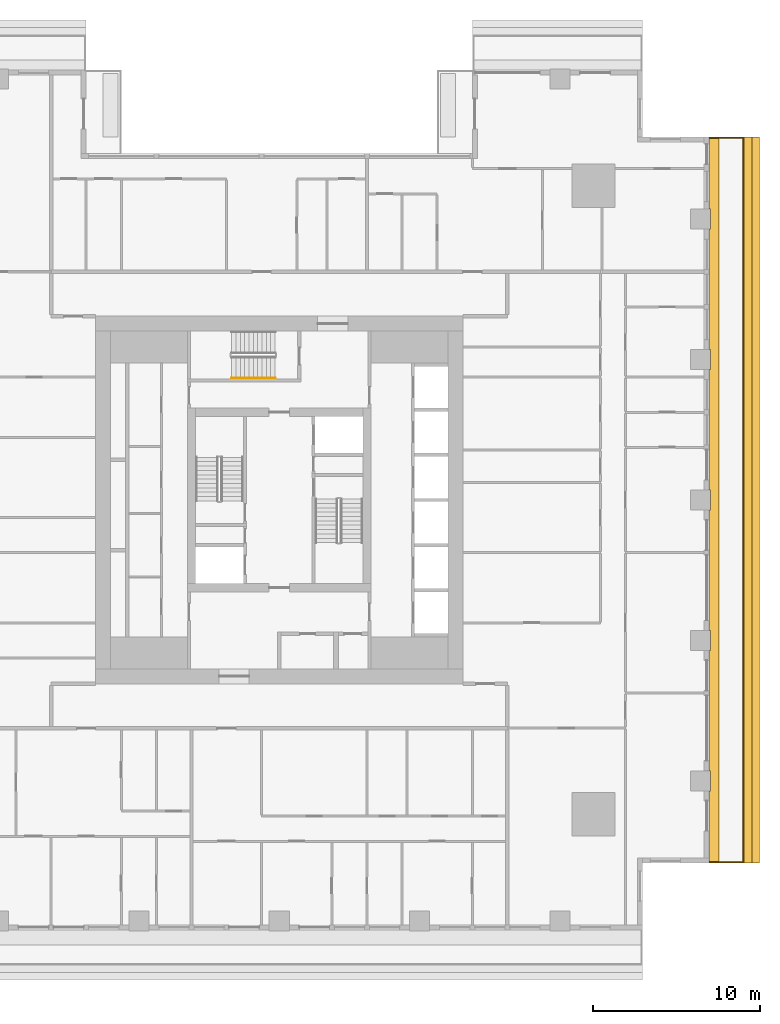
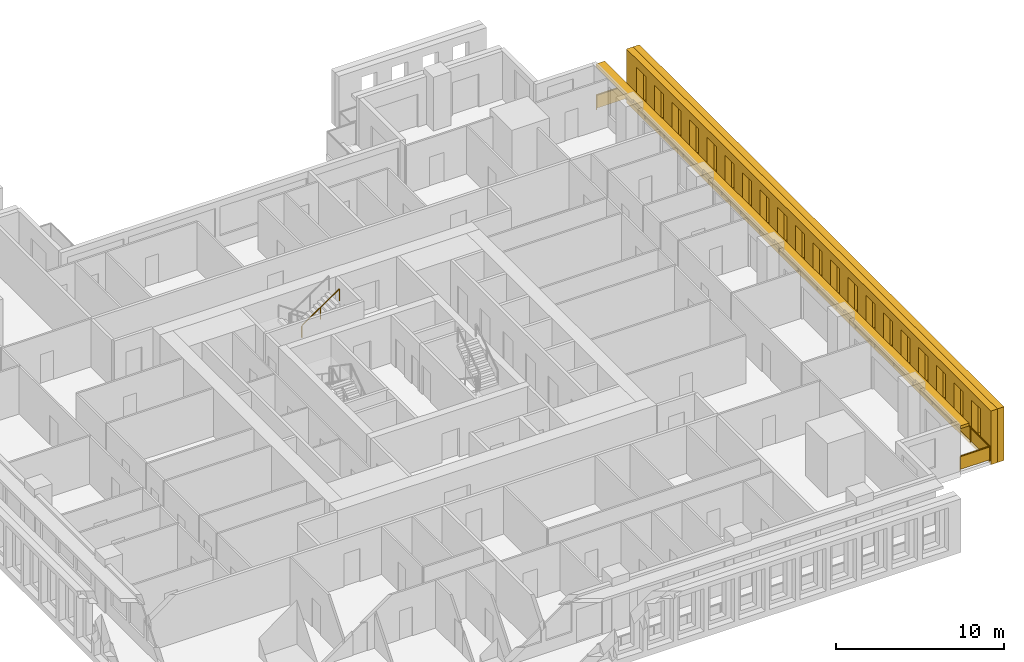
# One storey, part 13 of 15: 3 shading devices, 2 railings.
"""IFC4 building model written with IfcOpenShell, lengths in metres."""

from ifc_helpers import new_model, si_unit, direction, frame, origin, origin_2d, place, context, subcontext, project, spatial, polyline, rectangle, outline, extrude, material, layer, layer_set, type_object, element, save


model = new_model("IFC4")

# Units and contexts
model_context = context("Model", 3, precision=1e-05, world=origin(), true_north=direction((0.0, 1.0)))
body_context = subcontext(model_context, "Body", "Model", "MODEL_VIEW")
ifc_project = project(units=[si_unit("LENGTHUNIT", "METRE"), si_unit("AREAUNIT", "SQUARE_METRE"), si_unit("VOLUMEUNIT", "CUBIC_METRE"), si_unit("PLANEANGLEUNIT", "RADIAN"), si_unit("MASSUNIT", "GRAM", prefix="KILO")], contexts=[model_context])

# Site, building, storey
site_placement = place(None, origin())
site = spatial("IfcSite", under=ifc_project, at=site_placement, CompositionType="ELEMENT")
building_placement = place(site_placement, origin())
building = spatial("IfcBuilding", under=site, at=building_placement, Name="Khepri Terraces", CompositionType="ELEMENT")
storey_placement = place(building_placement, frame((0.0, 0.0, 165.0)))
storey = spatial("IfcBuildingStorey", under=building, at=storey_placement, Name="L39", CompositionType="ELEMENT", Elevation=165.0)

# Railings
ifc_material_1 = material(Name="Stainless steel grade 316", Category="steel")
railing_type_1 = type_object("IfcRailingType", Name="GRD-BAL-1100", PredefinedType="GUARDRAIL", material=ifc_material_1)
railing_1_placement = place(storey_placement, frame((25.719970703125, -21.669921875, 0.0)))
element("IfcRailing", 1, at=railing_1_placement, inside=storey, type_object=railing_type_1, Name="Balcony guard L39 E", PredefinedType="GUARDRAIL", context=body_context, shape_type="SweptSolid", body=[
    extrude(rectangle(XDim=0.050048828125, YDim=0.06005859375, at=origin_2d()), frame((0.0, 0.0, 1.070068359375), z_axis=(1.0, 0.0, 0.0), x_axis=(0.0, 1.0, 0.0)), (0.0, 0.0, 1.0), 2.050048828125),
    extrude(rectangle(XDim=2.0, YDim=0.011962890625, at=origin_2d()), frame((1.02490234375, 0.0, 0.10009765625), z_axis=(0.0, 0.0, 1.0), x_axis=(1.0, 0.0, 0.0)), (0.0, 0.0, 1.0), 0.93994140625),
    extrude(rectangle(XDim=0.050048828125, YDim=0.06005859375, at=origin_2d()), frame((2.050048828125, 0.0, 1.070068359375), z_axis=(0.0, 1.0, 0.0), x_axis=(-1.0, 0.0, 0.0)), (0.0, 0.0, 1.0), 43.33984375),
    extrude(rectangle(XDim=2.23095703125, YDim=0.011962890625, at=origin_2d()), frame((2.050048828125, 1.140625, 0.10009765625), z_axis=(0.0, 0.0, 1.0), x_axis=(0.0, 1.0, 0.0)), (0.0, 0.0, 1.0), 0.93994140625),
    extrude(rectangle(XDim=2.23095703125, YDim=0.011962890625, at=origin_2d()), frame((2.050048828125, 3.421630859375, 0.10009765625), z_axis=(0.0, 0.0, 1.0), x_axis=(0.0, 1.0, 0.0)), (0.0, 0.0, 1.0), 0.93994140625),
    extrude(rectangle(XDim=2.23095703125, YDim=0.011962890625, at=origin_2d()), frame((2.050048828125, 5.70263671875, 0.10009765625), z_axis=(0.0, 0.0, 1.0), x_axis=(0.0, 1.0, 0.0)), (0.0, 0.0, 1.0), 0.93994140625),
    extrude(rectangle(XDim=2.23095703125, YDim=0.011962890625, at=origin_2d()), frame((2.050048828125, 7.983642578125, 0.10009765625), z_axis=(0.0, 0.0, 1.0), x_axis=(0.0, 1.0, 0.0)), (0.0, 0.0, 1.0), 0.93994140625),
    extrude(rectangle(XDim=2.23095703125, YDim=0.011962890625, at=origin_2d()), frame((2.050048828125, 10.2646484375, 0.10009765625), z_axis=(0.0, 0.0, 1.0), x_axis=(0.0, 1.0, 0.0)), (0.0, 0.0, 1.0), 0.93994140625),
    extrude(rectangle(XDim=2.23095703125, YDim=0.011962890625, at=origin_2d()), frame((2.050048828125, 12.545654296875, 0.10009765625), z_axis=(0.0, 0.0, 1.0), x_axis=(0.0, 1.0, 0.0)), (0.0, 0.0, 1.0), 0.93994140625),
    extrude(rectangle(XDim=2.23095703125, YDim=0.011962890625, at=origin_2d()), frame((2.050048828125, 14.826904296875, 0.10009765625), z_axis=(0.0, 0.0, 1.0), x_axis=(0.0, 1.0, 0.0)), (0.0, 0.0, 1.0), 0.93994140625),
    extrude(rectangle(XDim=2.23095703125, YDim=0.011962890625, at=origin_2d()), frame((2.050048828125, 17.10791015625, 0.10009765625), z_axis=(0.0, 0.0, 1.0), x_axis=(0.0, 1.0, 0.0)), (0.0, 0.0, 1.0), 0.93994140625),
    extrude(rectangle(XDim=2.23095703125, YDim=0.011962890625, at=origin_2d()), frame((2.050048828125, 19.388916015625, 0.10009765625), z_axis=(0.0, 0.0, 1.0), x_axis=(0.0, 1.0, 0.0)), (0.0, 0.0, 1.0), 0.93994140625),
    extrude(rectangle(XDim=2.23095703125, YDim=0.011962890625, at=origin_2d()), frame((2.050048828125, 21.669921875, 0.10009765625), z_axis=(0.0, 0.0, 1.0), x_axis=(0.0, 1.0, 0.0)), (0.0, 0.0, 1.0), 0.93994140625),
    extrude(rectangle(XDim=2.23095703125, YDim=0.011962890625, at=origin_2d()), frame((2.050048828125, 23.950927734375, 0.10009765625), z_axis=(0.0, 0.0, 1.0), x_axis=(0.0, 1.0, 0.0)), (0.0, 0.0, 1.0), 0.93994140625),
    extrude(rectangle(XDim=2.23095703125, YDim=0.011962890625, at=origin_2d()), frame((2.050048828125, 26.23193359375, 0.10009765625), z_axis=(0.0, 0.0, 1.0), x_axis=(0.0, 1.0, 0.0)), (0.0, 0.0, 1.0), 0.93994140625),
    extrude(rectangle(XDim=2.23095703125, YDim=0.011962890625, at=origin_2d()), frame((2.050048828125, 28.512939453125, 0.10009765625), z_axis=(0.0, 0.0, 1.0), x_axis=(0.0, 1.0, 0.0)), (0.0, 0.0, 1.0), 0.93994140625),
    extrude(rectangle(XDim=2.23095703125, YDim=0.011962890625, at=origin_2d()), frame((2.050048828125, 30.794189453125, 0.10009765625), z_axis=(0.0, 0.0, 1.0), x_axis=(0.0, 1.0, 0.0)), (0.0, 0.0, 1.0), 0.93994140625),
    extrude(rectangle(XDim=2.23095703125, YDim=0.011962890625, at=origin_2d()), frame((2.050048828125, 33.0751953125, 0.10009765625), z_axis=(0.0, 0.0, 1.0), x_axis=(0.0, 1.0, 0.0)), (0.0, 0.0, 1.0), 0.93994140625),
    extrude(rectangle(XDim=2.23095703125, YDim=0.011962890625, at=origin_2d()), frame((2.050048828125, 35.356201171875, 0.10009765625), z_axis=(0.0, 0.0, 1.0), x_axis=(0.0, 1.0, 0.0)), (0.0, 0.0, 1.0), 0.93994140625),
    extrude(rectangle(XDim=2.23095703125, YDim=0.011962890625, at=origin_2d()), frame((2.050048828125, 37.63720703125, 0.10009765625), z_axis=(0.0, 0.0, 1.0), x_axis=(0.0, 1.0, 0.0)), (0.0, 0.0, 1.0), 0.93994140625),
    extrude(rectangle(XDim=2.23095703125, YDim=0.011962890625, at=origin_2d()), frame((2.050048828125, 39.918212890625, 0.10009765625), z_axis=(0.0, 0.0, 1.0), x_axis=(0.0, 1.0, 0.0)), (0.0, 0.0, 1.0), 0.93994140625),
    extrude(rectangle(XDim=2.23095703125, YDim=0.011962890625, at=origin_2d()), frame((2.050048828125, 42.19921875, 0.10009765625), z_axis=(0.0, 0.0, 1.0), x_axis=(0.0, 1.0, 0.0)), (0.0, 0.0, 1.0), 0.93994140625),
    extrude(rectangle(XDim=0.050048828125, YDim=0.06005859375, at=origin_2d()), frame((2.050048828125, 43.33984375, 1.070068359375), z_axis=(-1.0, 0.0, 0.0), x_axis=(0.0, -1.0, 0.0)), (0.0, 0.0, 1.0), 2.050048828125),
    extrude(rectangle(XDim=2.0, YDim=0.011962890625, at=origin_2d()), frame((1.02490234375, 43.33984375, 0.10009765625), z_axis=(0.0, 0.0, 1.0), x_axis=(-1.0, 0.0, 0.0)), (0.0, 0.0, 1.0), 0.93994140625),
    extrude(rectangle(XDim=0.050048828125, YDim=0.050048828125, at=origin_2d()), origin(), (0.0, 0.0, 1.0), 1.0400390625),
    extrude(rectangle(XDim=0.050048828125, YDim=0.050048828125, at=origin_2d()), frame((2.050048828125, 0.0, 0.0)), (0.0, 0.0, 1.0), 1.0400390625),
    extrude(rectangle(XDim=0.050048828125, YDim=0.050048828125, at=origin_2d()), frame((2.050048828125, 2.281005859375, 0.0)), (0.0, 0.0, 1.0), 1.0400390625),
    extrude(rectangle(XDim=0.050048828125, YDim=0.050048828125, at=origin_2d()), frame((2.050048828125, 4.56201171875, 0.0)), (0.0, 0.0, 1.0), 1.0400390625),
    extrude(rectangle(XDim=0.050048828125, YDim=0.050048828125, at=origin_2d()), frame((2.050048828125, 6.843017578125, 0.0)), (0.0, 0.0, 1.0), 1.0400390625),
    extrude(rectangle(XDim=0.050048828125, YDim=0.050048828125, at=origin_2d()), frame((2.050048828125, 9.124267578125, 0.0)), (0.0, 0.0, 1.0), 1.0400390625),
    extrude(rectangle(XDim=0.050048828125, YDim=0.050048828125, at=origin_2d()), frame((2.050048828125, 11.4052734375, 0.0)), (0.0, 0.0, 1.0), 1.0400390625),
    extrude(rectangle(XDim=0.050048828125, YDim=0.050048828125, at=origin_2d()), frame((2.050048828125, 13.686279296875, 0.0)), (0.0, 0.0, 1.0), 1.0400390625),
    extrude(rectangle(XDim=0.050048828125, YDim=0.050048828125, at=origin_2d()), frame((2.050048828125, 15.96728515625, 0.0)), (0.0, 0.0, 1.0), 1.0400390625),
    extrude(rectangle(XDim=0.050048828125, YDim=0.050048828125, at=origin_2d()), frame((2.050048828125, 18.248291015625, 0.0)), (0.0, 0.0, 1.0), 1.0400390625),
    extrude(rectangle(XDim=0.050048828125, YDim=0.050048828125, at=origin_2d()), frame((2.050048828125, 20.529296875, 0.0)), (0.0, 0.0, 1.0), 1.0400390625),
    extrude(rectangle(XDim=0.050048828125, YDim=0.050048828125, at=origin_2d()), frame((2.050048828125, 22.810546875, 0.0)), (0.0, 0.0, 1.0), 1.0400390625),
    extrude(rectangle(XDim=0.050048828125, YDim=0.050048828125, at=origin_2d()), frame((2.050048828125, 25.091552734375, 0.0)), (0.0, 0.0, 1.0), 1.0400390625),
    extrude(rectangle(XDim=0.050048828125, YDim=0.050048828125, at=origin_2d()), frame((2.050048828125, 27.37255859375, 0.0)), (0.0, 0.0, 1.0), 1.0400390625),
    extrude(rectangle(XDim=0.050048828125, YDim=0.050048828125, at=origin_2d()), frame((2.050048828125, 29.653564453125, 0.0)), (0.0, 0.0, 1.0), 1.0400390625),
    extrude(rectangle(XDim=0.050048828125, YDim=0.050048828125, at=origin_2d()), frame((2.050048828125, 31.9345703125, 0.0)), (0.0, 0.0, 1.0), 1.0400390625),
    extrude(rectangle(XDim=0.050048828125, YDim=0.050048828125, at=origin_2d()), frame((2.050048828125, 34.215576171875, 0.0)), (0.0, 0.0, 1.0), 1.0400390625),
    extrude(rectangle(XDim=0.050048828125, YDim=0.050048828125, at=origin_2d()), frame((2.050048828125, 36.496826171875, 0.0)), (0.0, 0.0, 1.0), 1.0400390625),
    extrude(rectangle(XDim=0.050048828125, YDim=0.050048828125, at=origin_2d()), frame((2.050048828125, 38.77783203125, 0.0)), (0.0, 0.0, 1.0), 1.0400390625),
    extrude(rectangle(XDim=0.050048828125, YDim=0.050048828125, at=origin_2d()), frame((2.050048828125, 41.058837890625, 0.0)), (0.0, 0.0, 1.0), 1.0400390625),
    extrude(rectangle(XDim=0.050048828125, YDim=0.050048828125, at=origin_2d()), frame((2.050048828125, 43.33984375, 0.0)), (0.0, 0.0, 1.0), 1.0400390625),
    extrude(rectangle(XDim=0.050048828125, YDim=0.050048828125, at=origin_2d()), frame((0.0, 43.33984375, 0.0)), (0.0, 0.0, 1.0), 1.0400390625),
])
ifc_material_2 = material(Name="Stainless steel 316", Category="steel")
railing_type_2 = type_object("IfcRailingType", Name="RL-CORE-HANDRAIL", PredefinedType="HANDRAIL", material=ifc_material_2)
railing_2_placement = place(storey_placement, frame((-2.85009765625, 7.300048828125, 2.127197265625)))
element("IfcRailing", 2, at=railing_2_placement, inside=storey, type_object=railing_type_2, Name="L39 ST-3 stair handrail 2", PredefinedType="HANDRAIL", context=body_context, shape_type="SweptSolid", body=[
    extrude(rectangle(XDim=0.050048828125, YDim=0.050048828125, at=origin_2d()), frame((0.0, 0.0, 0.875), z_axis=(0.826240473404, 0.0, 0.563317565952), x_axis=(0.0, 1.0, 0.0)), (0.0, 0.0, 1.0), 3.14697265625),
    extrude(rectangle(XDim=0.050048828125, YDim=0.050048828125, at=origin_2d()), origin(), (0.0, 0.0, 1.0), 0.849853515625),
    extrude(rectangle(XDim=0.050048828125, YDim=0.050048828125, at=origin_2d()), frame((1.300048828125, 0.0, 0.88623046875)), (0.0, 0.0, 1.0), 0.849853515625),
    extrude(rectangle(XDim=0.050048828125, YDim=0.050048828125, at=origin_2d()), frame((2.60009765625, 0.0, 1.772705078125)), (0.0, 0.0, 1.0), 0.849853515625),
])

# Shading devices
ifc_material_3 = material(Name="Precast concrete C50/60 warm stone", Category="masonry")
shading_device_type_1 = type_object("IfcShadingDeviceType", Name="SCR-CELL-INNER-450", PredefinedType="USERDEFINED", material=ifc_material_3)
shading_device_1_placement = place(storey_placement, frame((27.820068359375, -21.719970703125, -0.25), z_axis=(1.0, 0.0, 0.0), x_axis=(0.0, 1.0, 0.0)))
element("IfcShadingDevice", 3, at=shading_device_1_placement, inside=storey, type_object=shading_device_type_1, Name="Cell screen L39 E in", ObjectType="SCREEN", PredefinedType="USERDEFINED", context=body_context, shape_type="SweptSolid", body=[
    extrude(outline(polyline([(0.0, 0.0), (43.43994140625, 0.0), (43.43994140625, 3.89990234375), (0.0, 3.89990234375), (0.0, 0.0)]), holes=[polyline([(1.2265625, 0.699951171875), (2.3134765625, 0.699951171875), (2.3134765625, 3.300048828125), (1.2265625, 3.300048828125), (1.2265625, 0.699951171875)]), polyline([(3.32666015625, 0.699951171875), (4.413330078125, 0.699951171875), (4.413330078125, 3.300048828125), (3.32666015625, 3.300048828125), (3.32666015625, 0.699951171875)]), polyline([(5.426513671875, 0.699951171875), (6.513427734375, 0.699951171875), (6.513427734375, 3.300048828125), (5.426513671875, 3.300048828125), (5.426513671875, 0.699951171875)]), polyline([(7.526611328125, 0.699951171875), (8.61328125, 0.699951171875), (8.61328125, 3.300048828125), (7.526611328125, 3.300048828125), (7.526611328125, 0.699951171875)]), polyline([(9.626708984375, 0.699951171875), (10.71337890625, 0.699951171875), (10.71337890625, 3.300048828125), (9.626708984375, 3.300048828125), (9.626708984375, 0.699951171875)]), polyline([(11.7265625, 0.699951171875), (12.8134765625, 0.699951171875), (12.8134765625, 3.300048828125), (11.7265625, 3.300048828125), (11.7265625, 0.699951171875)]), polyline([(13.82666015625, 0.699951171875), (14.913330078125, 0.699951171875), (14.913330078125, 3.300048828125), (13.82666015625, 3.300048828125), (13.82666015625, 0.699951171875)]), polyline([(15.926513671875, 0.699951171875), (17.013427734375, 0.699951171875), (17.013427734375, 3.300048828125), (15.926513671875, 3.300048828125), (15.926513671875, 0.699951171875)]), polyline([(18.026611328125, 0.699951171875), (19.11328125, 0.699951171875), (19.11328125, 3.300048828125), (18.026611328125, 3.300048828125), (18.026611328125, 0.699951171875)]), polyline([(20.126708984375, 0.699951171875), (21.21337890625, 0.699951171875), (21.21337890625, 3.300048828125), (20.126708984375, 3.300048828125), (20.126708984375, 0.699951171875)]), polyline([(22.2265625, 0.699951171875), (23.3134765625, 0.699951171875), (23.3134765625, 3.300048828125), (22.2265625, 3.300048828125), (22.2265625, 0.699951171875)]), polyline([(24.32666015625, 0.699951171875), (25.413330078125, 0.699951171875), (25.413330078125, 3.300048828125), (24.32666015625, 3.300048828125), (24.32666015625, 0.699951171875)]), polyline([(26.426513671875, 0.699951171875), (27.513427734375, 0.699951171875), (27.513427734375, 3.300048828125), (26.426513671875, 3.300048828125), (26.426513671875, 0.699951171875)]), polyline([(28.526611328125, 0.699951171875), (29.61328125, 0.699951171875), (29.61328125, 3.300048828125), (28.526611328125, 3.300048828125), (28.526611328125, 0.699951171875)]), polyline([(30.626708984375, 0.699951171875), (31.71337890625, 0.699951171875), (31.71337890625, 3.300048828125), (30.626708984375, 3.300048828125), (30.626708984375, 0.699951171875)]), polyline([(32.7265625, 0.699951171875), (33.8134765625, 0.699951171875), (33.8134765625, 3.300048828125), (32.7265625, 3.300048828125), (32.7265625, 0.699951171875)]), polyline([(34.82666015625, 0.699951171875), (35.913330078125, 0.699951171875), (35.913330078125, 3.300048828125), (34.82666015625, 3.300048828125), (34.82666015625, 0.699951171875)]), polyline([(36.926513671875, 0.699951171875), (38.013427734375, 0.699951171875), (38.013427734375, 3.300048828125), (36.926513671875, 3.300048828125), (36.926513671875, 0.699951171875)]), polyline([(39.026611328125, 0.699951171875), (40.11328125, 0.699951171875), (40.11328125, 3.300048828125), (39.026611328125, 3.300048828125), (39.026611328125, 0.699951171875)]), polyline([(41.126708984375, 0.699951171875), (42.21337890625, 0.699951171875), (42.21337890625, 3.300048828125), (41.126708984375, 3.300048828125), (41.126708984375, 0.699951171875)])]), origin(), (0.0, 0.0, 1.0), 0.449951171875),
])
shading_device_type_2 = type_object("IfcShadingDeviceType", Name="SCR-CELL-OUTER-450", PredefinedType="USERDEFINED", material=ifc_material_3)
shading_device_2_placement = place(storey_placement, frame((28.27001953125, -21.719970703125, -0.25), z_axis=(1.0, 0.0, 0.0), x_axis=(0.0, 1.0, 0.0)))
element("IfcShadingDevice", 4, at=shading_device_2_placement, inside=storey, type_object=shading_device_type_2, Name="Cell screen L39 E out", ObjectType="SCREEN", PredefinedType="USERDEFINED", context=body_context, shape_type="SweptSolid", body=[
    extrude(outline(polyline([(0.0, 0.0), (43.43994140625, 0.0), (43.43994140625, 3.89990234375), (0.0, 3.89990234375), (0.0, 0.0)]), holes=[polyline([(0.876708984375, 0.449951171875), (2.663330078125, 0.449951171875), (2.663330078125, 3.550048828125), (0.876708984375, 3.550048828125), (0.876708984375, 0.449951171875)]), polyline([(2.9765625, 0.449951171875), (4.763427734375, 0.449951171875), (4.763427734375, 3.550048828125), (2.9765625, 3.550048828125), (2.9765625, 0.449951171875)]), polyline([(5.07666015625, 0.449951171875), (6.86328125, 0.449951171875), (6.86328125, 3.550048828125), (5.07666015625, 3.550048828125), (5.07666015625, 0.449951171875)]), polyline([(7.176513671875, 0.449951171875), (8.96337890625, 0.449951171875), (8.96337890625, 3.550048828125), (7.176513671875, 3.550048828125), (7.176513671875, 0.449951171875)]), polyline([(9.276611328125, 0.449951171875), (11.0634765625, 0.449951171875), (11.0634765625, 3.550048828125), (9.276611328125, 3.550048828125), (9.276611328125, 0.449951171875)]), polyline([(11.376708984375, 0.449951171875), (13.163330078125, 0.449951171875), (13.163330078125, 3.550048828125), (11.376708984375, 3.550048828125), (11.376708984375, 0.449951171875)]), polyline([(13.4765625, 0.449951171875), (15.263427734375, 0.449951171875), (15.263427734375, 3.550048828125), (13.4765625, 3.550048828125), (13.4765625, 0.449951171875)]), polyline([(15.57666015625, 0.449951171875), (17.36328125, 0.449951171875), (17.36328125, 3.550048828125), (15.57666015625, 3.550048828125), (15.57666015625, 0.449951171875)]), polyline([(17.676513671875, 0.449951171875), (19.46337890625, 0.449951171875), (19.46337890625, 3.550048828125), (17.676513671875, 3.550048828125), (17.676513671875, 0.449951171875)]), polyline([(19.776611328125, 0.449951171875), (21.5634765625, 0.449951171875), (21.5634765625, 3.550048828125), (19.776611328125, 3.550048828125), (19.776611328125, 0.449951171875)]), polyline([(21.876708984375, 0.449951171875), (23.663330078125, 0.449951171875), (23.663330078125, 3.550048828125), (21.876708984375, 3.550048828125), (21.876708984375, 0.449951171875)]), polyline([(23.9765625, 0.449951171875), (25.763427734375, 0.449951171875), (25.763427734375, 3.550048828125), (23.9765625, 3.550048828125), (23.9765625, 0.449951171875)]), polyline([(26.07666015625, 0.449951171875), (27.86328125, 0.449951171875), (27.86328125, 3.550048828125), (26.07666015625, 3.550048828125), (26.07666015625, 0.449951171875)]), polyline([(28.176513671875, 0.449951171875), (29.96337890625, 0.449951171875), (29.96337890625, 3.550048828125), (28.176513671875, 3.550048828125), (28.176513671875, 0.449951171875)]), polyline([(30.276611328125, 0.449951171875), (32.0634765625, 0.449951171875), (32.0634765625, 3.550048828125), (30.276611328125, 3.550048828125), (30.276611328125, 0.449951171875)]), polyline([(32.376708984375, 0.449951171875), (34.163330078125, 0.449951171875), (34.163330078125, 3.550048828125), (32.376708984375, 3.550048828125), (32.376708984375, 0.449951171875)]), polyline([(34.4765625, 0.449951171875), (36.263427734375, 0.449951171875), (36.263427734375, 3.550048828125), (34.4765625, 3.550048828125), (34.4765625, 0.449951171875)]), polyline([(36.57666015625, 0.449951171875), (38.36328125, 0.449951171875), (38.36328125, 3.550048828125), (36.57666015625, 3.550048828125), (36.57666015625, 0.449951171875)]), polyline([(38.676513671875, 0.449951171875), (40.46337890625, 0.449951171875), (40.46337890625, 3.550048828125), (38.676513671875, 3.550048828125), (38.676513671875, 0.449951171875)]), polyline([(40.776611328125, 0.449951171875), (42.5634765625, 0.449951171875), (42.5634765625, 3.550048828125), (40.776611328125, 3.550048828125), (40.776611328125, 0.449951171875)])]), origin(), (0.0, 0.0, 1.0), 0.449951171875),
])
ifc_layer = layer(ifc_material_3, 0.199951171875, Name="Precast concrete C50/60 warm stone", Category="masonry")
ifc_layer_set = layer_set([ifc_layer], Name="Precast concrete C50/60 warm stone")
shading_device_type_3 = type_object("IfcShadingDeviceType", Name="SSH-BAND-STONE-200-N", PredefinedType="USERDEFINED", material=ifc_layer_set)
shading_device_3_placement = place(storey_placement, frame((0.0, 0.0, 3.10009765625)))
element("IfcShadingDevice", 5, at=shading_device_3_placement, inside=storey, type_object=shading_device_type_3, Name="Sunshade band L39 E", ObjectType="SUNSHADE", PredefinedType="USERDEFINED", context=body_context, shape_type="SweptSolid", body=[
    extrude(outline(polyline([(25.719970703125, -17.39990234375), (25.719970703125, -21.719970703125), (26.320068359375, -21.719970703125), (26.320068359375, 21.719970703125), (25.719970703125, 21.719970703125), (25.719970703125, 17.39990234375), (25.800048828125, 17.39990234375), (25.800048828125, 16.199951171875), (25.719970703125, 16.199951171875), (25.719970703125, 9.0), (25.800048828125, 9.0), (25.800048828125, 7.800048828125), (25.719970703125, 7.800048828125), (25.719970703125, 0.60009765625), (25.800048828125, 0.60009765625), (25.800048828125, -0.60009765625), (25.719970703125, -0.60009765625), (25.719970703125, -7.800048828125), (25.800048828125, -7.800048828125), (25.800048828125, -9.0), (25.719970703125, -9.0), (25.719970703125, -16.199951171875), (25.800048828125, -16.199951171875), (25.800048828125, -17.39990234375), (25.719970703125, -17.39990234375)])), origin(), (0.0, 0.0, 1.0), 0.199951171875),
])

save(model, "model.ifc")
